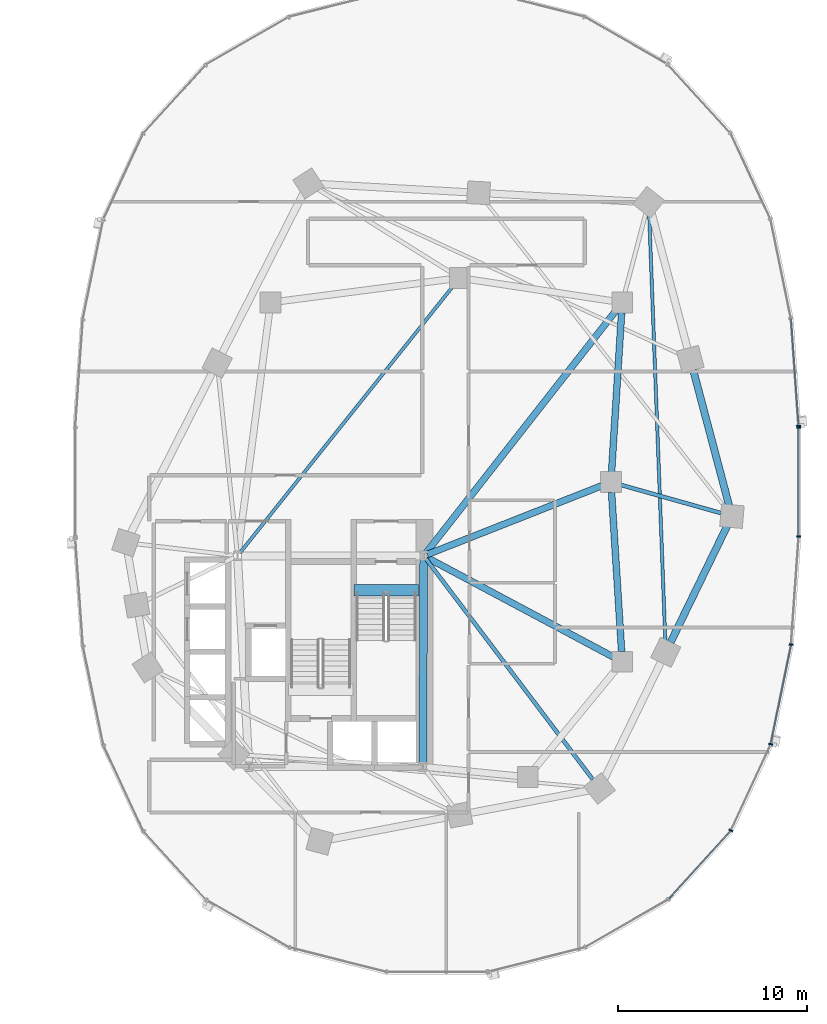
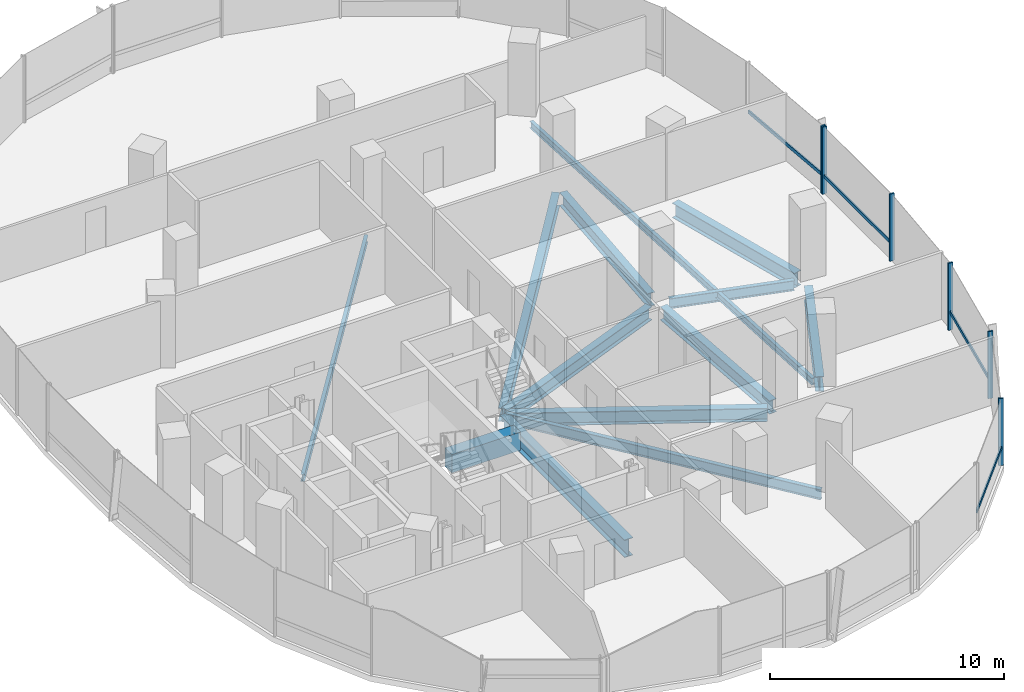
# One storey, part 6 of 21: 13 beams, 10 members, 2 elements without a shape of their own.
"""IFC4 building model written with IfcOpenShell, lengths in metres."""

from ifc_helpers import new_model, si_unit, direction, frame, origin, origin_2d, place, context, subcontext, project, spatial, rectangle, i_section, extrude, material, material_profile, profile_set, type_object, element, aggregate, save


model = new_model("IFC4")

# Units and contexts
model_context = context("Model", 3, precision=1e-05, world=origin(), true_north=direction((0.0, 1.0)))
body_context = subcontext(model_context, "Body", "Model", "MODEL_VIEW")
ifc_project = project(units=[si_unit("LENGTHUNIT", "METRE"), si_unit("AREAUNIT", "SQUARE_METRE"), si_unit("VOLUMEUNIT", "CUBIC_METRE"), si_unit("PLANEANGLEUNIT", "RADIAN"), si_unit("MASSUNIT", "GRAM", prefix="KILO"), si_unit("THERMODYNAMICTEMPERATUREUNIT", "KELVIN"), si_unit("POWERUNIT", "WATT")], contexts=[model_context])

# Site, building, storey
site_placement = place(None, origin())
site = spatial("IfcSite", under=ifc_project, at=site_placement, CompositionType="ELEMENT")
building_placement = place(site_placement, origin())
building = spatial("IfcBuilding", under=site, at=building_placement, Name="Cundina Bronze Exchange", CompositionType="ELEMENT")
storey_placement = place(building_placement, frame((0.0, 0.0, 62.0)))
storey = spatial("IfcBuildingStorey", under=building, at=storey_placement, Name="L15", CompositionType="ELEMENT", Elevation=62.0)

# Beams
ifc_material_1 = material(Name="Concrete C60/75", Category="concrete")
ifc_material_profile_1 = material_profile(ifc_material_1, rectangle(XDim=0.60009765625, YDim=0.949951171875, at=origin_2d()), Name="RC600X950", Category="concrete")
ifc_profile_set_1 = profile_set([ifc_material_profile_1], Name="Concrete C60/75")
beam_type_1 = type_object("IfcBeamType", Name="BM-COUP-RC950", PredefinedType="LINTEL", material=ifc_profile_set_1)
beam_1_placement = place(storey_placement, frame((27.6201171875, -5.719970703125, -0.47509765625), z_axis=(1.0, 0.0, 0.0), x_axis=(0.0, 1.0, 0.0)))
element("IfcBeam", 1, at=beam_1_placement, inside=storey, type_object=beam_type_1, Name="L15 Stair E1 Landing Header Beam", PredefinedType="LINTEL", context=body_context, shape_type="SweptSolid", body=[
    extrude(rectangle(XDim=0.60009765625, YDim=0.949951171875, at=origin_2d()), origin(), (0.0, 0.0, 1.0), 3.39990234375),
])
ifc_material_2 = material(Name="Steel ASTM A992 Grade 50", Category="steel")
ifc_material_profile_2 = material_profile(ifc_material_2, i_section(OverallWidth=0.2099609375, OverallDepth=0.532958984375, WebThickness=0.01025390625, FlangeThickness=0.015625, FilletRadius=0.013916015625, at=origin_2d()), Name="W21X62", Category="steel")
ifc_profile_set_2 = profile_set([ifc_material_profile_2], Name="Steel ASTM A992 Grade 50")
beam_type_2 = type_object("IfcBeamType", Name="BM-FLR-W21B", PredefinedType="BEAM", material=ifc_profile_set_2)
beam_2_placement = place(storey_placement, frame((31.423095703125, -4.062744140625, -0.56640625), z_axis=(0.603106461849, -0.797660702101, 0.0), x_axis=(0.797660702101, 0.603106461849, 0.0)))
element("IfcBeam", 2, at=beam_2_placement, inside=storey, type_object=beam_type_2, Name="L15 Leg E Chordal Floor Beam 06", PredefinedType="BEAM", context=body_context, shape_type="SweptSolid", body=[
    extrude(i_section(OverallWidth=0.2099609375, OverallDepth=0.532958984375, WebThickness=0.01025390625, FlangeThickness=0.015625, FilletRadius=0.013916015625, at=origin_2d()), origin(), (0.0, 0.0, 1.0), 14.6279296875),
])
beam_3_placement = place(storey_placement, frame((41.718017578125, -0.145751953125, -0.56640625), z_axis=(0.962650219971, -0.270748137554, 0.0), x_axis=(0.270748137554, 0.962650219971, 0.0)))
element("IfcBeam", 3, at=beam_3_placement, inside=storey, type_object=beam_type_2, Name="L15 Leg E Chordal Floor Beam 08", PredefinedType="BEAM", context=body_context, shape_type="SweptSolid", body=[
    extrude(i_section(OverallWidth=0.2099609375, OverallDepth=0.532958984375, WebThickness=0.01025390625, FlangeThickness=0.015625, FilletRadius=0.013916015625, at=origin_2d()), origin(), (0.0, 0.0, 1.0), 5.522216796875),
])
ifc_material_profile_3 = material_profile(ifc_material_2, i_section(OverallWidth=0.172119140625, OverallDepth=0.35791015625, WebThickness=0.0078125, FlangeThickness=0.01318359375, FilletRadius=0.010009765625, at=origin_2d()), Name="W14X38", Category="steel")
ifc_profile_set_3 = profile_set([ifc_material_profile_3], Name="Steel ASTM A992 Grade 50")
beam_type_3 = type_object("IfcBeamType", Name="BM-JST-W14", PredefinedType="JOIST", material=ifc_profile_set_3)
beam_4_placement = place(storey_placement, frame((21.577392578125, -3.740478515625, -0.47900390625), z_axis=(0.62436887964, 0.781129632095, 0.0), x_axis=(-0.781129632095, 0.62436887964, 0.0)))
element("IfcBeam", 4, at=beam_4_placement, inside=storey, type_object=beam_type_3, Name="L15 E Interior Core-to-Ring Joist 2", PredefinedType="JOIST", context=body_context, shape_type="SweptSolid", body=[
    extrude(i_section(OverallWidth=0.172119140625, OverallDepth=0.35791015625, WebThickness=0.0078125, FlangeThickness=0.01318359375, FilletRadius=0.010009765625, at=origin_2d()), origin(), (0.0, 0.0, 1.0), 18.076904296875),
])
beam_5_placement = place(storey_placement, frame((44.077880859375, -8.412353515625, -0.47900390625), z_axis=(-0.037794949147, 0.999285515666, 0.0), x_axis=(-0.999285515666, -0.037794949147, 0.0)))
element("IfcBeam", 5, at=beam_5_placement, inside=storey, type_object=beam_type_3, Name="L15 Leg E Lobe Floor Joist 07-10", PredefinedType="JOIST", context=body_context, shape_type="SweptSolid", body=[
    extrude(i_section(OverallWidth=0.172119140625, OverallDepth=0.35791015625, WebThickness=0.0078125, FlangeThickness=0.01318359375, FilletRadius=0.010009765625, at=origin_2d()), origin(), (0.0, 0.0, 1.0), 22.640869140625),
])
ifc_material_profile_4 = material_profile(ifc_material_2, i_section(OverallWidth=0.35498046875, OverallDepth=0.695068359375, WebThickness=0.015380859375, FlangeThickness=0.02490234375, FilletRadius=0.01806640625, at=origin_2d()), Name="W27X146", Category="steel")
ifc_profile_set_4 = profile_set([ifc_material_profile_4], Name="Steel ASTM A992 Grade 50")
beam_type_4 = type_object("IfcBeamType", Name="BM-RING-W27", PredefinedType="USERDEFINED", material=ifc_profile_set_4)
for number, where, z_axis, x_axis, name in (
    (6, (41.76611328125, -8.963134765625, -0.6474609375), (-0.06303715519, 0.998011180832, 0.0), (-0.998011180832, -0.06303715519, 0.0), "L15 E Inner Structural Ring Girder 03"),
    (7, (41.23388671875, 0.536865234375, -0.6474609375), (0.06303715519, 0.998011180832, 0.0), (-0.998011180832, 0.06303715519, 0.0), "L15 E Inner Structural Ring Girder 04"),
):
    element("IfcBeam", number, at=place(storey_placement, frame(where, z_axis=z_axis, x_axis=x_axis)), inside=storey, type_object=beam_type_4, Name=name, ObjectType="GIRDER", PredefinedType="USERDEFINED", context=body_context, shape_type="SweptSolid", body=[
        extrude(i_section(OverallWidth=0.35498046875, OverallDepth=0.695068359375, WebThickness=0.015380859375, FlangeThickness=0.02490234375, FilletRadius=0.01806640625, at=origin_2d()), origin(), (0.0, 0.0, 1.0), 8.443115234375),
    ])
beam_6_placement = place(storey_placement, frame((31.48974609375, -3.8251953125, -0.6474609375), z_axis=(0.930413235418, 0.366512225388, 0.0), x_axis=(-0.366512225388, 0.930413235418, 0.0)))
element("IfcBeam", 8, at=beam_6_placement, inside=storey, type_object=beam_type_4, Name="L15 E Core-to-Waist Tie Beam 1", ObjectType="GIRDER", PredefinedType="USERDEFINED", context=body_context, shape_type="SweptSolid", body=[
    extrude(i_section(OverallWidth=0.35498046875, OverallDepth=0.695068359375, WebThickness=0.015380859375, FlangeThickness=0.02490234375, FilletRadius=0.01806640625, at=origin_2d()), origin(), (0.0, 0.0, 1.0), 9.8984375),
])
beam_7_placement = place(storey_placement, frame((31.47998046875, -3.99609375, -0.6474609375), z_axis=(0.882354758239, -0.470584828286, 0.0), x_axis=(0.470584828286, 0.882354758239, 0.0)))
element("IfcBeam", 9, at=beam_7_placement, inside=storey, type_object=beam_type_4, Name="L15 E Core-to-Waist Tie Beam 2", ObjectType="GIRDER", PredefinedType="USERDEFINED", context=body_context, shape_type="SweptSolid", body=[
    extrude(i_section(OverallWidth=0.35498046875, OverallDepth=0.695068359375, WebThickness=0.015380859375, FlangeThickness=0.02490234375, FilletRadius=0.01806640625, at=origin_2d()), origin(), (0.0, 0.0, 1.0), 11.157958984375),
])
beam_8_placement = place(storey_placement, frame((31.42578125, -3.739501953125, -0.6474609375), z_axis=(0.616789275748, 0.787128318206, 0.0), x_axis=(-0.787128318206, 0.616789275748, 0.0)))
element("IfcBeam", 10, at=beam_8_placement, inside=storey, type_object=beam_type_4, Name="L15 E Core-to-Waist Tie Beam 3", ObjectType="GIRDER", PredefinedType="USERDEFINED", context=body_context, shape_type="SweptSolid", body=[
    extrude(i_section(OverallWidth=0.35498046875, OverallDepth=0.695068359375, WebThickness=0.015380859375, FlangeThickness=0.02490234375, FilletRadius=0.01806640625, at=origin_2d()), origin(), (0.0, 0.0, 1.0), 16.281982421875),
])
ifc_material_profile_5 = material_profile(ifc_material_2, i_section(OverallWidth=0.381103515625, OverallDepth=0.77294921875, WebThickness=0.0166015625, FlangeThickness=0.027099609375, FilletRadius=0.01904296875, at=origin_2d()), Name="W30X173", Category="steel")
ifc_profile_set_5 = profile_set([ifc_material_profile_5], Name="Steel ASTM A992 Grade 50")
beam_type_5 = type_object("IfcBeamType", Name="BM-RING-W30", PredefinedType="USERDEFINED", material=ifc_profile_set_5)
beam_9_placement = place(storey_placement, frame((44.357177734375, -8.47119140625, -0.6865234375), z_axis=(0.437190698904, 0.899368830231, 0.0), x_axis=(-0.899368830231, 0.437190698904, 0.0)))
element("IfcBeam", 11, at=beam_9_placement, inside=storey, type_object=beam_type_5, Name="L15 E Perimeter Ring Girder 07", ObjectType="GIRDER", PredefinedType="USERDEFINED", context=body_context, shape_type="SweptSolid", body=[
    extrude(i_section(OverallWidth=0.381103515625, OverallDepth=0.77294921875, WebThickness=0.0166015625, FlangeThickness=0.027099609375, FilletRadius=0.01904296875, at=origin_2d()), origin(), (0.0, 0.0, 1.0), 6.82958984375),
])
beam_10_placement = place(storey_placement, frame((47.44921875, -1.231689453125, -0.6865234375), z_axis=(-0.256177785604, 0.966629682021, 0.0), x_axis=(-0.966629682021, -0.256177785604, 0.0)))
element("IfcBeam", 12, at=beam_10_placement, inside=storey, type_object=beam_type_5, Name="L15 E Perimeter Ring Girder 08", ObjectType="GIRDER", PredefinedType="USERDEFINED", context=body_context, shape_type="SweptSolid", body=[
    extrude(i_section(OverallWidth=0.381103515625, OverallDepth=0.77294921875, WebThickness=0.0166015625, FlangeThickness=0.027099609375, FilletRadius=0.01904296875, at=origin_2d()), origin(), (0.0, 0.0, 1.0), 7.41064453125),
])
ifc_material_profile_6 = material_profile(ifc_material_2, i_section(OverallWidth=0.41796875, OverallDepth=0.927001953125, WebThickness=0.019287109375, FlangeThickness=0.031982421875, FilletRadius=0.02392578125, at=origin_2d()), Name="W36X231", Category="steel")
ifc_profile_set_6 = profile_set([ifc_material_profile_6], Name="Steel ASTM A992 Grade 50")
beam_type_6 = type_object("IfcBeamType", Name="BM-WRN-W36B", PredefinedType="USERDEFINED", material=ifc_profile_set_6)
beam_11_placement = place(storey_placement, frame((31.2509765625, -14.845947265625, -0.763427734375), z_axis=(0.004477329608, 0.99998997671, 0.0), x_axis=(-0.99998997671, 0.004477329608, 0.0)))
element("IfcBeam", 13, at=beam_11_placement, inside=storey, type_object=beam_type_6, Name="L15 E Core Perimeter Tie Girder 4", ObjectType="GIRDER", PredefinedType="USERDEFINED", context=body_context, shape_type="SweptSolid", body=[
    extrude(i_section(OverallWidth=0.41796875, OverallDepth=0.927001953125, WebThickness=0.019287109375, FlangeThickness=0.031982421875, FilletRadius=0.02392578125, at=origin_2d()), origin(), (0.0, 0.0, 1.0), 10.741943359375),
])

# Curtain wall, member
ifc_material_3 = material(Name="Anodised Bronze Aluminium 6063-T6", Category="aluminium")
curtain_wall_type = type_object("IfcCurtainWallType", Name="CWS-TRD-LOW", PredefinedType="NOTDEFINED", material=ifc_material_3)
curtain_wall_1_placement = place(storey_placement, origin())
curtain_wall_1 = element("IfcCurtainWall", 14, at=curtain_wall_1_placement, inside=storey, type_object=curtain_wall_type, Name="L15 CW-02 Curtain Wall Run CWR-L15-E1", PredefinedType="NOTDEFINED")
ifc_material_profile_7 = material_profile(ifc_material_3, rectangle(XDim=0.074951171875, YDim=0.219970703125, at=origin_2d()), Name="AL75X220", Category="aluminium")
ifc_profile_set_7 = profile_set([ifc_material_profile_7], Name="Anodised Bronze Aluminium 6063-T6")
member_type_1 = type_object("IfcMemberType", Name="CWM-MUL-220", PredefinedType="MULLION", material=ifc_profile_set_7)
member_1_placement = place(storey_placement, frame((51.12451171875, 2.976318359375, 0.0), z_axis=(0.0, 0.0, 1.0), x_axis=(-0.070278787473, 0.997527389113, 0.0)))
member_1 = element("IfcMember", 15, at=member_1_placement, type_object=member_type_1, Name="CW-02 Mullion 1", PredefinedType="MULLION", context=body_context, shape_type="SweptSolid", body=[
    extrude(rectangle(XDim=0.074951171875, YDim=0.219970703125, at=origin_2d()), origin(), (0.0, 0.0, 1.0), 3.5),
])

# Curtain wall, members
curtain_wall_2_placement = place(storey_placement, origin())
curtain_wall_2 = element("IfcCurtainWall", 16, at=curtain_wall_2_placement, inside=storey, type_object=curtain_wall_type, Name="L15 CW-02 Curtain Wall Run CWR-L15-E4", PredefinedType="NOTDEFINED")
member_2_placement = place(storey_placement, frame((47.544189453125, -18.423583984375, 0.0), z_axis=(0.0, 0.0, 1.0), x_axis=(0.42087749791, 0.907117485088, 0.0)))
member_2 = element("IfcMember", 17, at=member_2_placement, type_object=member_type_1, Name="CW-02 Mullion 4", PredefinedType="MULLION", context=body_context, shape_type="SweptSolid", body=[
    extrude(rectangle(XDim=0.074951171875, YDim=0.219970703125, at=origin_2d()), origin(), (0.0, 0.0, 1.0), 3.5),
])
member_3_placement = place(storey_placement, frame((49.651123046875, -13.861328125, 0.0), z_axis=(0.0, 0.0, 1.0), x_axis=(0.201419845156, 0.979505000486, 0.0)))
member_3 = element("IfcMember", 18, at=member_3_placement, type_object=member_type_1, Name="CW-02 Mullion 5", PredefinedType="MULLION", context=body_context, shape_type="SweptSolid", body=[
    extrude(rectangle(XDim=0.074951171875, YDim=0.219970703125, at=origin_2d()), origin(), (0.0, 0.0, 1.0), 3.5),
])
member_4_placement = place(storey_placement, frame((50.72900390625, -8.591552734375, 0.0), z_axis=(0.0, 0.0, 1.0), x_axis=(0.070278787473, 0.997527389113, 0.0)))
member_4 = element("IfcMember", 19, at=member_4_placement, type_object=member_type_1, Name="CW-02 Mullion 6", PredefinedType="MULLION", context=body_context, shape_type="SweptSolid", body=[
    extrude(rectangle(XDim=0.074951171875, YDim=0.219970703125, at=origin_2d()), origin(), (0.0, 0.0, 1.0), 3.5),
])
member_5_placement = place(storey_placement, frame((51.1279296875, -2.880615234375, 0.0), z_axis=(0.0, 0.0, 1.0), x_axis=(0.0, 1.0, 0.0)))
member_5 = element("IfcMember", 20, at=member_5_placement, type_object=member_type_1, Name="CW-02 Mullion 7", PredefinedType="MULLION", context=body_context, shape_type="SweptSolid", body=[
    extrude(rectangle(XDim=0.074951171875, YDim=0.219970703125, at=origin_2d()), origin(), (0.0, 0.0, 1.0), 3.5),
])
member_6_placement = place(storey_placement, frame((51.1279296875, 2.880615234375, 0.0), z_axis=(0.0, 0.0, 1.0), x_axis=(0.0, 1.0, 0.0)))
member_6 = element("IfcMember", 21, at=member_6_placement, type_object=member_type_1, Name="CW-02 End Mullion", PredefinedType="MULLION", context=body_context, shape_type="SweptSolid", body=[
    extrude(rectangle(XDim=0.074951171875, YDim=0.219970703125, at=origin_2d()), origin(), (0.0, 0.0, 1.0), 3.5),
])

# Member
ifc_material_profile_8 = material_profile(ifc_material_3, rectangle(XDim=0.070068359375, YDim=0.179931640625, at=origin_2d()), Name="AL70X180", Category="aluminium")
ifc_profile_set_8 = profile_set([ifc_material_profile_8], Name="Anodised Bronze Aluminium 6063-T6")
member_type_2 = type_object("IfcMemberType", Name="CWM-TRN-180", PredefinedType="USERDEFINED", material=ifc_profile_set_8)
member_7_placement = place(storey_placement, frame((51.12158203125, 3.017333984375, 0.919921875), z_axis=(-0.070260714471, 0.997528662246, 0.0), x_axis=(-0.997528662246, -0.070260714471, 0.0)))
member_7 = element("IfcMember", 22, at=member_7_placement, type_object=member_type_2, Name="CW-02 Spandrel Transom 1", ObjectType="TRANSOM", PredefinedType="USERDEFINED", context=body_context, shape_type="SweptSolid", body=[
    extrude(rectangle(XDim=0.070068359375, YDim=0.179931640625, at=origin_2d()), origin(), (0.0, 0.0, 1.0), 5.629150390625),
])

aggregate(curtain_wall_1, [member_1, member_7])

member_8_placement = place(storey_placement, frame((44.26708984375, -22.027099609375, 0.919921875), z_axis=(0.674302794847, 0.738454968743, 0.0), x_axis=(-0.738454968743, 0.674302794847, 0.0)))
member_8 = element("IfcMember", 23, at=member_8_placement, type_object=member_type_2, Name="CW-02 Spandrel Transom 3", ObjectType="TRANSOM", PredefinedType="USERDEFINED", context=body_context, shape_type="SweptSolid", body=[
    extrude(rectangle(XDim=0.070068359375, YDim=0.179931640625, at=origin_2d()), origin(), (0.0, 0.0, 1.0), 4.848388671875),
])

member_9_placement = place(storey_placement, frame((49.659423828125, -13.821044921875, 0.919921875), z_axis=(0.201427712708, 0.979503382615, 0.0), x_axis=(-0.979503382615, 0.201427712708, 0.0)))
member_9 = element("IfcMember", 24, at=member_9_placement, type_object=member_type_2, Name="CW-02 Spandrel Transom 5", ObjectType="TRANSOM", PredefinedType="USERDEFINED", context=body_context, shape_type="SweptSolid", body=[
    extrude(rectangle(XDim=0.070068359375, YDim=0.179931640625, at=origin_2d()), origin(), (0.0, 0.0, 1.0), 5.291748046875),
])

member_10_placement = place(storey_placement, frame((51.1279296875, -2.839111328125, 0.919921875), z_axis=(0.0, 1.0, 0.0), x_axis=(-1.0, 0.0, 0.0)))
member_10 = element("IfcMember", 25, at=member_10_placement, type_object=member_type_2, Name="CW-02 Spandrel Transom 7", ObjectType="TRANSOM", PredefinedType="USERDEFINED", context=body_context, shape_type="SweptSolid", body=[
    extrude(rectangle(XDim=0.070068359375, YDim=0.179931640625, at=origin_2d()), origin(), (0.0, 0.0, 1.0), 5.67822265625),
])

aggregate(curtain_wall_2, [member_8, member_2, member_3, member_9, member_4, member_5, member_6, member_10])

save(model, "model.ifc")
